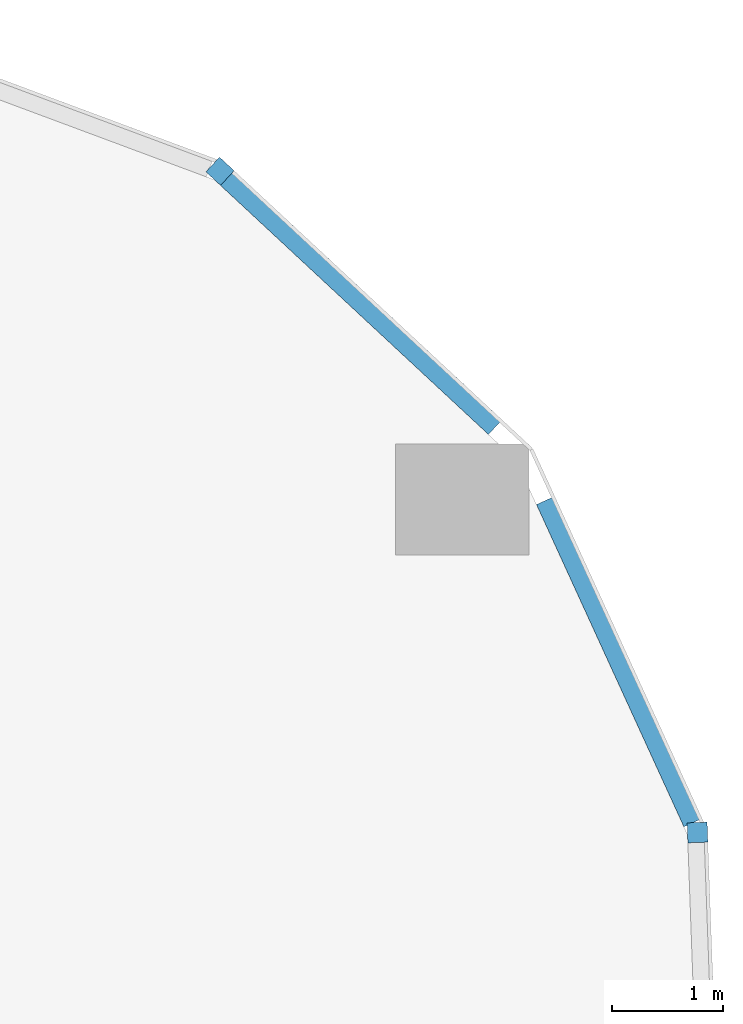
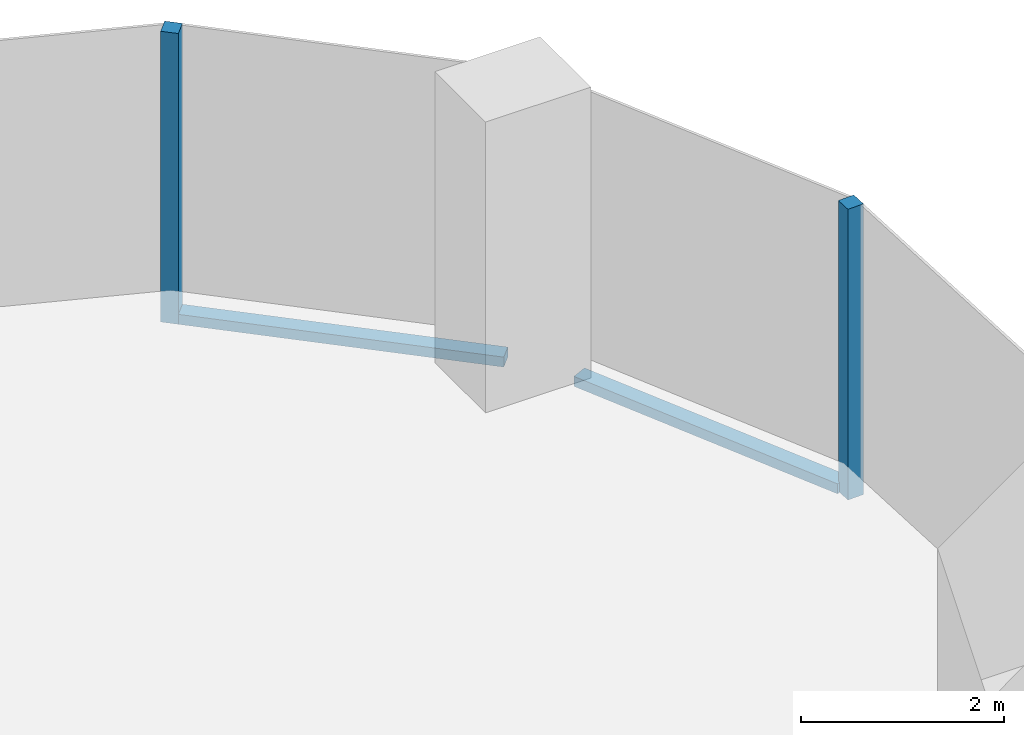
# One storey, part 15 of 34: 4 members, 3 elements without a shape of their own.
"""IFC4 building model written with IfcOpenShell, lengths in metres."""

import ifcopenshell
import ifcopenshell.guid

model = None  # the IFC model being written
_history = None  # IfcOwnerHistory: only IFC2X3 demands one
_inside = {}  # id of a spatial element -> (the spatial element, [elements in it])
_under = {}  # id of a project, library or spatial element -> (it, [spatial elements below it])
_declared = {}  # id of a project -> (the project, [libraries it declares])
_typed = {}  # id of a type object -> (the type object, [elements of that type])
_made_of = {}  # id of a material, layer set ... -> (it, [elements and type objects made of it])


def new_model(schema):
    """Start an empty IFC model of exactly this schema.

    Asked for "IFC4X3", IfcOpenShell would pick the latest addendum, in which some entities
    have other attributes; the version numbers below select the first issue.
    IFC2X3 requires an IfcOwnerHistory on every rooted entity: one is made here for all.
    """
    global model, _history
    if schema == "IFC4X3":
        model = ifcopenshell.file(schema_version=(4, 3, 0, 0))
    else:
        model = ifcopenshell.file(schema=schema)
    _inside.clear()
    _under.clear()
    _declared.clear()
    _typed.clear()
    _made_of.clear()
    _history = None
    if model.schema == "IFC2X3":
        org = make("IfcOrganization", Name="unknown")
        user = make(
            "IfcPersonAndOrganization",
            ThePerson=make("IfcPerson", FamilyName="unknown"),
            TheOrganization=org,
        )
        app = make(
            "IfcApplication",
            ApplicationDeveloper=org,
            Version="unknown",
            ApplicationFullName="unknown",
            ApplicationIdentifier="unknown",
        )
        _history = make(
            "IfcOwnerHistory",
            OwningUser=user,
            OwningApplication=app,
            ChangeAction="ADDED",
            CreationDate=0,
        )
    return model


def make(cls, **values):
    """One entity of the class cls with the attributes given. An attribute that is None is left unset."""
    return model.create_entity(
        cls, **{name: value for name, value in values.items() if value is not None}
    )


def rooted(cls, **values):
    """An entity with a GlobalId (a new one), such as an element, a storey or a relation."""
    return make(cls, GlobalId=ifcopenshell.guid.new(), OwnerHistory=_history, **values)


def si_unit(unit_type, name, prefix=None):
    """IfcSIUnit, for example si_unit("LENGTHUNIT", "METRE", prefix="MILLI")."""
    return make("IfcSIUnit", UnitType=unit_type, Prefix=prefix, Name=name)


def assignment(units):
    """IfcUnitAssignment: the units of a project."""
    return None if units is None else make("IfcUnitAssignment", Units=units)


def point(xyz):
    """IfcCartesianPoint."""
    return None if xyz is None else make("IfcCartesianPoint", Coordinates=xyz)


def direction(xyz):
    """IfcDirection."""
    return None if xyz is None else make("IfcDirection", DirectionRatios=xyz)


def frame(location, z_axis=None, x_axis=None):
    """IfcAxis2Placement3D, a coordinate frame: its origin and axes. An axis left out is left unset."""
    return make(
        "IfcAxis2Placement3D",
        Location=point(location),
        Axis=direction(z_axis),
        RefDirection=direction(x_axis),
    )


def frame_2d(location, x_axis=None):
    """IfcAxis2Placement2D, a coordinate frame in the plane: its origin and x axis."""
    return make(
        "IfcAxis2Placement2D", Location=point(location), RefDirection=direction(x_axis)
    )


def origin():
    """The frame at (0, 0, 0) with its axes left unset."""
    return frame((0.0, 0.0, 0.0))


def origin_2d():
    """The frame at (0, 0) in the plane with its x axis left unset."""
    return frame_2d((0.0, 0.0))


def place(relative_to, where):
    """IfcLocalPlacement: puts the frame where relative to a parent placement (None: the world)."""
    return make(
        "IfcLocalPlacement", PlacementRelTo=relative_to, RelativePlacement=where
    )


def context(
    kind, dimensions, precision=None, world=None, true_north=None, identifier=None
):
    """IfcGeometricRepresentationContext, for example the 3D "Model" context."""
    return make(
        "IfcGeometricRepresentationContext",
        ContextIdentifier=identifier,
        ContextType=kind,
        CoordinateSpaceDimension=dimensions,
        Precision=precision,
        WorldCoordinateSystem=world,
        TrueNorth=true_north,
    )


def subcontext(parent, identifier, kind, view, scale=None):
    """IfcGeometricRepresentationSubContext, for example "Body" below "Model"."""
    return make(
        "IfcGeometricRepresentationSubContext",
        ContextIdentifier=identifier,
        ContextType=kind,
        ParentContext=parent,
        TargetScale=scale,
        TargetView=view,
    )


def project(units=None, contexts=None):
    """IfcProject with its units and contexts."""
    return rooted(
        "IfcProject",
        Name="project",
        RepresentationContexts=contexts,
        UnitsInContext=assignment(units),
    )


def spatial(cls, under=None, at=None, **own):
    """A site, building, storey or space (cls), placed at a placement, below another one or the project."""
    s = rooted(cls, ObjectPlacement=at, **own)
    if under is not None:
        _under.setdefault(under.id(), (under, []))[1].append(s)
    return s


def profile(cls, at=None, kind="AREA", **sizes):
    """A parametric profile (cls). Its sizes go by their IFC names, for example OverallWidth=200.0."""
    return make(cls, ProfileType=kind, Position=at, **sizes)


def rectangle(**sizes):
    """IfcRectangleProfileDef."""
    return profile("IfcRectangleProfileDef", **sizes)


def extrude(swept, where, along, depth):
    """IfcExtrudedAreaSolid: the profile swept, set in the frame where, extruded along a direction by depth."""
    return make(
        "IfcExtrudedAreaSolid",
        SweptArea=swept,
        Position=where,
        ExtrudedDirection=direction(along),
        Depth=depth,
    )


def shape(context_of_items, identifier, shape_type, items):
    """IfcShapeRepresentation: the items that make up one representation, for example the "Body"."""
    return make(
        "IfcShapeRepresentation",
        ContextOfItems=context_of_items,
        RepresentationIdentifier=identifier,
        RepresentationType=shape_type,
        Items=items,
    )


def material(Name=None, Category=None):
    """IfcMaterial."""
    return make("IfcMaterial", Name=Name, Category=Category)


def material_profile(
    of_material, cross_section, Name=None, Category=None, Priority=None
):
    """IfcMaterialProfile: a cross section and its material."""
    return make(
        "IfcMaterialProfile",
        Name=Name,
        Material=of_material,
        Profile=cross_section,
        Priority=Priority,
        Category=Category,
    )


def profile_set(profiles, Name=None, composite=None):
    """IfcMaterialProfileSet."""
    return make(
        "IfcMaterialProfileSet",
        Name=Name,
        MaterialProfiles=profiles,
        CompositeProfile=composite,
    )


def made_of(thing, what):
    """Note that an element or type object is made of a material, layer set ...; save() writes the relation."""
    if what is not None:
        _made_of.setdefault(what.id(), (what, []))[1].append(thing)
    return thing


def type_object(cls, material=None, **own):
    """A type object (cls), such as IfcWallType, which elements share."""
    return made_of(rooted(cls, **own), material)


def element(
    cls,
    number,
    at=None,
    inside=None,
    cuts=None,
    type_object=None,
    material=None,
    context=None,
    identifier="Body",
    shape_type=None,
    held_by="IfcProductDefinitionShape",
    body=None,
    shapes=None,
    **own,
):
    """One element of the class cls, such as IfcWall. Its Tag is "e" and its number.

    at: its placement. inside: the storey or other place that contains it. cuts: it is an
    opening in that element (IfcRelVoidsElement). A single representation is given by context,
    identifier, shape_type and body (its items); several are given by shapes. held_by: the class
    of the entity that holds the representations. save() writes the other relations.
    """
    e = rooted(cls, Tag="e%d" % number, ObjectPlacement=at, **own)
    if body is not None:
        shapes = [shape(context, identifier, shape_type, body)]
    if shapes is not None:
        e.Representation = make(held_by, Representations=shapes)
    if inside is not None:
        _inside.setdefault(inside.id(), (inside, []))[1].append(e)
    if cuts is not None:
        rooted(
            "IfcRelVoidsElement", RelatingBuildingElement=cuts, RelatedOpeningElement=e
        )
    if type_object is not None:
        _typed.setdefault(type_object.id(), (type_object, []))[1].append(e)
    return made_of(e, material)


def aggregate(whole, parts):
    """IfcRelAggregates: a whole, such as a stair, and the parts it consists of."""
    return rooted("IfcRelAggregates", RelatingObject=whole, RelatedObjects=parts)


def save(model, path):
    """Write the relations noted so far, then the file.

    IfcRelAggregates (storeys below a building ...), IfcRelContainedInSpatialStructure (elements
    in a storey), IfcRelDefinesByType, IfcRelAssociatesMaterial and IfcRelDeclares: one each for
    every whole, place, type object, material and project.
    """
    for whole, parts in _under.values():
        aggregate(whole, parts)
    for where, things in _inside.values():
        rooted(
            "IfcRelContainedInSpatialStructure",
            RelatedElements=things,
            RelatingStructure=where,
        )
    for kind, things in _typed.values():
        rooted("IfcRelDefinesByType", RelatedObjects=things, RelatingType=kind)
    for what, things in _made_of.values():
        rooted("IfcRelAssociatesMaterial", RelatedObjects=things, RelatingMaterial=what)
    for by, libraries in _declared.values():
        rooted("IfcRelDeclares", RelatingContext=by, RelatedDefinitions=libraries)
    model.write(path)


model = new_model("IFC4")

# Units and contexts
model_context = context("Model", 3, precision=1e-05, world=origin(), true_north=direction((0.0, 1.0)))
body_context = subcontext(model_context, "Body", "Model", "MODEL_VIEW")
ifc_project = project(units=[si_unit("LENGTHUNIT", "METRE"), si_unit("AREAUNIT", "SQUARE_METRE"), si_unit("VOLUMEUNIT", "CUBIC_METRE"), si_unit("PLANEANGLEUNIT", "RADIAN"), si_unit("MASSUNIT", "GRAM", prefix="KILO")], contexts=[model_context])

# Site, building, storey
site_placement = place(None, origin())
site = spatial("IfcSite", under=ifc_project, at=site_placement, CompositionType="ELEMENT")
building_placement = place(site_placement, origin())
building = spatial("IfcBuilding", under=site, at=building_placement, Name="Orlundy Tower", CompositionType="ELEMENT")
storey_placement = place(building_placement, frame((0.0, 0.0, 127.199951171875)))
storey = spatial("IfcBuildingStorey", under=building, at=storey_placement, Name="L32", CompositionType="ELEMENT", Elevation=127.199951171875)

# Curtain wall, member
ifc_material_1 = material(Name="Aluminium bronze anodised", Category="aluminium")
curtain_wall_type = type_object("IfcCurtainWallType", Name="CW1 wall", PredefinedType="NOTDEFINED", material=ifc_material_1)
curtain_wall_1_placement = place(storey_placement, origin())
curtain_wall_1 = element("IfcCurtainWall", 1, at=curtain_wall_1_placement, inside=storey, type_object=curtain_wall_type, Name="CW1 run 08", PredefinedType="NOTDEFINED")
ifc_material_2 = material(Name="Aluminium bronze anodised", Category="aluminium")
ifc_material_profile_1 = material_profile(ifc_material_2, rectangle(XDim=0.179931640625, YDim=0.179931640625, at=origin_2d()), Name="CW1 corner post 180x180")
ifc_profile_set_1 = profile_set([ifc_material_profile_1], Name="Aluminium bronze anodised")
member_type_1 = type_object("IfcMemberType", Name="CW1 corner post 180x180", PredefinedType="MULLION", material=ifc_profile_set_1)
member_1_placement = place(storey_placement, frame((56.069091796875, 10.564208984375, -0.39990234375), z_axis=(0.0, 0.0, 1.0), x_axis=(0.680875211262, 0.732399444763, 0.0)))
member_1 = element("IfcMember", 2, at=member_1_placement, type_object=member_type_1, Name="CW1 mullion 33", PredefinedType="MULLION", context=body_context, shape_type="SweptSolid", body=[
    extrude(rectangle(XDim=0.179931640625, YDim=0.179931640625, at=origin_2d()), origin(), (0.0, 0.0, 1.0), 3.5),
])

curtain_wall_2_placement = place(storey_placement, origin())
curtain_wall_2 = element("IfcCurtainWall", 3, at=curtain_wall_2_placement, inside=storey, type_object=curtain_wall_type, Name="CW1 run 010", PredefinedType="NOTDEFINED")
member_2_placement = place(storey_placement, frame((60.3671875, 4.612060546875, -0.39990234375), z_axis=(0.0, 0.0, 1.0), x_axis=(0.999336466026, 0.036422900353, 0.0)))
member_2 = element("IfcMember", 4, at=member_2_placement, type_object=member_type_1, Name="CW1 mullion 35", PredefinedType="MULLION", context=body_context, shape_type="SweptSolid", body=[
    extrude(rectangle(XDim=0.179931640625, YDim=0.179931640625, at=origin_2d()), origin(), (0.0, 0.0, 1.0), 3.5),
])
aggregate(curtain_wall_2, [member_2])

# Member
ifc_material_3 = material(Name="Aluminium bronze anodised", Category="aluminium")
ifc_material_profile_2 = material_profile(ifc_material_3, rectangle(XDim=0.179931640625, YDim=0.1201171875, at=origin_2d()), Name="CW1 transom 180x120")
ifc_profile_set_2 = profile_set([ifc_material_profile_2], Name="Aluminium bronze anodised")
member_type_2 = type_object("IfcMemberType", Name="CW1 transom 180x120", PredefinedType="USERDEFINED", material=ifc_profile_set_2)
member_3_placement = place(storey_placement, frame((56.135009765625, 10.5029296875, -0.33984375), z_axis=(0.732402536134, -0.680871885941, 0.0), x_axis=(0.680871885941, 0.732402536134, 0.0)))
member_3 = element("IfcMember", 5, at=member_3_placement, type_object=member_type_2, Name="CW1 transom", ObjectType="TRANSOM", PredefinedType="USERDEFINED", context=body_context, shape_type="SweptSolid", body=[
    extrude(rectangle(XDim=0.179931640625, YDim=0.1201171875, at=origin_2d()), origin(), (0.0, 0.0, 1.0), 3.292724609375),
])

aggregate(curtain_wall_1, [member_1, member_3])

# Curtain wall, member
curtain_wall_3_placement = place(storey_placement, origin())
curtain_wall_3 = element("IfcCurtainWall", 6, at=curtain_wall_3_placement, inside=storey, type_object=curtain_wall_type, Name="CW1 run 09", PredefinedType="NOTDEFINED")
member_4_placement = place(storey_placement, frame((59.0, 7.601318359375, -0.33984375), z_axis=(0.415929789139, -0.909396728885, 0.0), x_axis=(0.909396728885, 0.415929789139, 0.0)))
member_4 = element("IfcMember", 7, at=member_4_placement, type_object=member_type_2, Name="CW1 transom", ObjectType="TRANSOM", PredefinedType="USERDEFINED", context=body_context, shape_type="SweptSolid", body=[
    extrude(rectangle(XDim=0.179931640625, YDim=0.1201171875, at=origin_2d()), origin(), (0.0, 0.0, 1.0), 3.189697265625),
])
aggregate(curtain_wall_3, [member_4])

save(model, "model.ifc")
